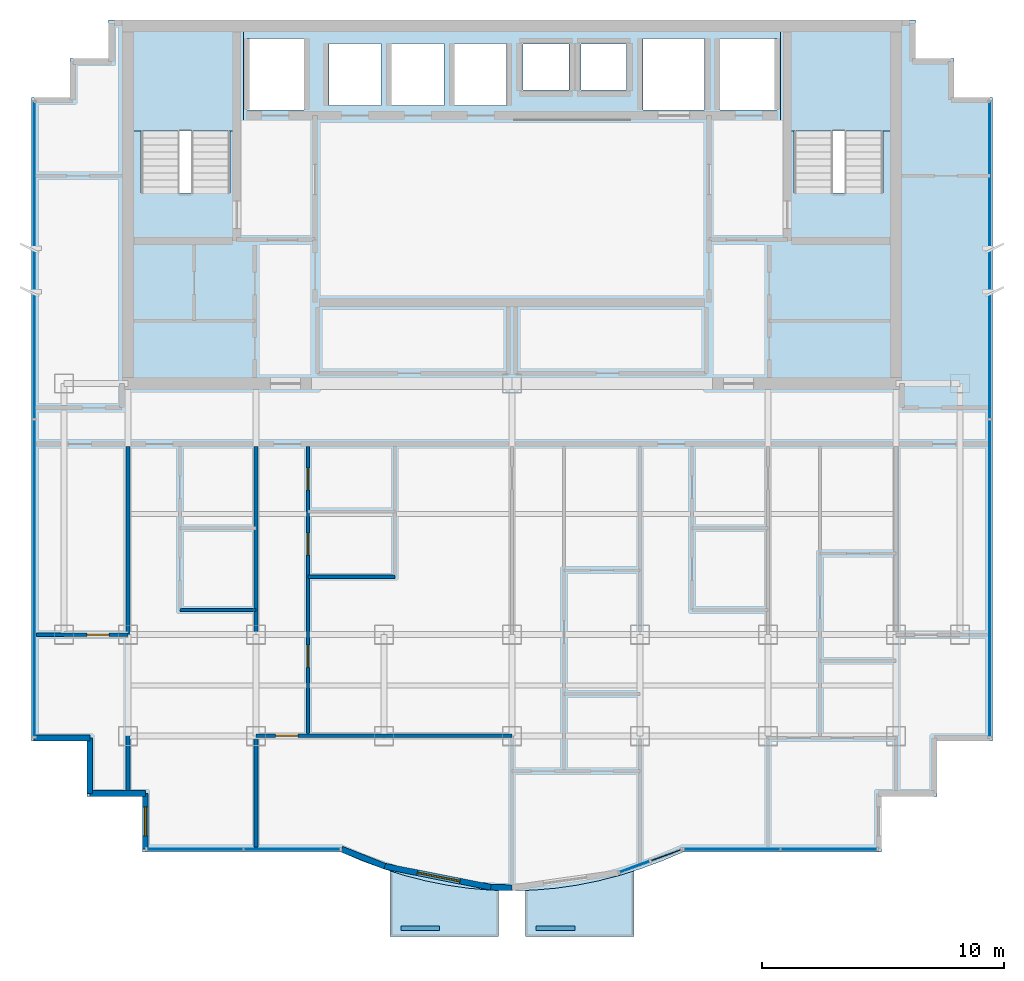
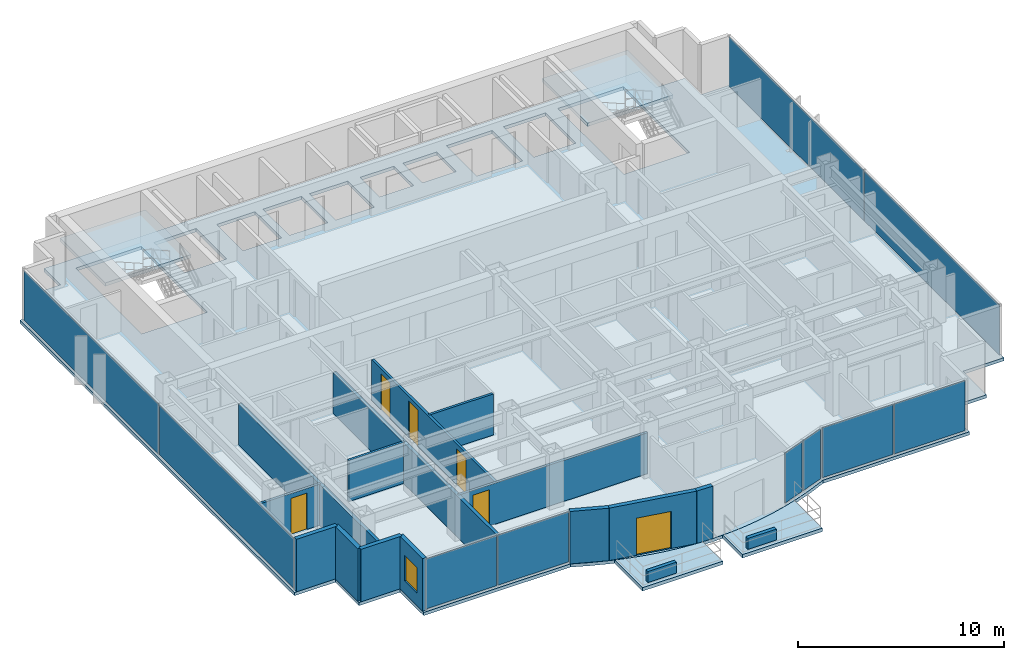
# One storey, part 6 of 12: 16 walls, 10 plates, 6 doors, 5 slabs, 1 window, 7 openings, 7 elements without a shape of their own.
"""IFC4 building model written with IfcOpenShell, lengths in metres."""

from ifc_helpers import new_model, si_unit, direction, frame, frame_2d, origin, origin_2d, place, context, subcontext, project, spatial, polyline, rectangle, outline, extrude, source, transform, mapped, material, layer, layer_set, type_object, element, fill, aggregate, save


model = new_model("IFC4")

# Units and contexts
model_context = context("Model", 3, precision=1e-05, world=origin(), true_north=direction((0.0, 1.0)))
body_context = subcontext(model_context, "Body", "Model", "MODEL_VIEW")
ifc_project = project(units=[si_unit("LENGTHUNIT", "METRE"), si_unit("AREAUNIT", "SQUARE_METRE"), si_unit("VOLUMEUNIT", "CUBIC_METRE"), si_unit("PLANEANGLEUNIT", "RADIAN"), si_unit("MASSUNIT", "GRAM", prefix="KILO")], contexts=[model_context])

# Site, building, storey
site_placement = place(None, origin())
site = spatial("IfcSite", under=ifc_project, at=site_placement, CompositionType="ELEMENT")
building_placement = place(site_placement, origin())
building = spatial("IfcBuilding", under=site, at=building_placement, Name="Qianlan Lanfeng Residences", CompositionType="ELEMENT")
storey_placement = place(building_placement, frame((0.0, 0.0, 200.0)))
storey = spatial("IfcBuildingStorey", under=building, at=storey_placement, Name="L54", CompositionType="ELEMENT", Elevation=200.0)

# Slabs
ifc_material_1 = material(Name="Concrete C42", Category="concrete")
ifc_layer_1 = layer(ifc_material_1, 0.199951171875)
ifc_layer_set_1 = layer_set([ifc_layer_1], Name="Concrete C42")
slab_type_1 = type_object("IfcSlabType", Name="S-BAL-200", PredefinedType="FLOOR", material=ifc_layer_set_1)
slab_1_placement = place(storey_placement, frame((0.0, 0.0, -0.199951171875)))
element("IfcSlab", 1, at=slab_1_placement, inside=storey, type_object=slab_type_1, Name="L54 Planted Tree Balcony Slab SB-W", PredefinedType="FLOOR", context=body_context, shape_type="SweptSolid", body=[
    extrude(outline(polyline([(25.949951171875, 4.216064453125), (25.614990234375, 4.22509765625), (24.72998046875, 4.300048828125), (23.844970703125, 4.425048828125), (22.9599609375, 4.60009765625), (22.074951171875, 4.824951171875), (21.449951171875, 5.01904296875), (21.449951171875, 2.300048828125), (25.949951171875, 2.300048828125), (25.949951171875, 4.216064453125)])), origin(), (0.0, 0.0, 1.0), 0.199951171875),
])
slab_2_placement = place(storey_placement, frame((0.0, 0.0, -0.199951171875)))
element("IfcSlab", 2, at=slab_2_placement, inside=storey, type_object=slab_type_1, Name="L54 Planted Tree Balcony Slab SB-E", PredefinedType="FLOOR", context=body_context, shape_type="SweptSolid", body=[
    extrude(outline(polyline([(31.550048828125, 5.01904296875), (30.925048828125, 4.824951171875), (30.0400390625, 4.60009765625), (29.155029296875, 4.425048828125), (28.27001953125, 4.300048828125), (27.385009765625, 4.22509765625), (27.050048828125, 4.216064453125), (27.050048828125, 2.300048828125), (31.550048828125, 2.300048828125), (31.550048828125, 5.01904296875)])), origin(), (0.0, 0.0, 1.0), 0.199951171875),
])
ifc_layer_2 = layer(ifc_material_1, 0.18994140625)
ifc_layer_set_2 = layer_set([ifc_layer_2], Name="Concrete C42")
slab_type_2 = type_object("IfcSlabType", Name="S-FL-190", PredefinedType="FLOOR", material=ifc_layer_set_2)
slab_3_placement = place(storey_placement, frame((0.0, 0.0, -0.18994140625)))
element("IfcSlab", 3, at=slab_3_placement, inside=storey, type_object=slab_type_2, Name="L54 Structural Floor Slab", PredefinedType="FLOOR", context=body_context, shape_type="SweptSolid", body=[
    extrude(outline(polyline([(6.60009765625, 10.39990234375), (8.89990234375, 10.39990234375), (8.89990234375, 8.10009765625), (11.199951171875, 8.10009765625), (11.199951171875, 5.800048828125), (19.419921875, 5.800048828125), (20.304931640625, 5.425048828125), (21.18994140625, 5.10009765625), (22.074951171875, 4.824951171875), (22.9599609375, 4.60009765625), (23.844970703125, 4.425048828125), (24.72998046875, 4.300048828125), (25.614990234375, 4.22509765625), (26.5, 4.199951171875), (27.385009765625, 4.22509765625), (28.27001953125, 4.300048828125), (29.155029296875, 4.425048828125), (30.0400390625, 4.60009765625), (30.925048828125, 4.824951171875), (31.81005859375, 5.10009765625), (32.695068359375, 5.425048828125), (33.580078125, 5.800048828125), (41.800048828125, 5.800048828125), (41.800048828125, 8.10009765625), (44.10009765625, 8.10009765625), (44.10009765625, 10.39990234375), (46.39990234375, 10.39990234375), (46.39990234375, 37.050048828125), (44.800048828125, 37.050048828125), (44.800048828125, 38.64990234375), (43.199951171875, 38.64990234375), (43.199951171875, 40.25), (9.800048828125, 40.25), (9.800048828125, 38.64990234375), (8.199951171875, 38.64990234375), (8.199951171875, 37.050048828125), (6.60009765625, 37.050048828125), (6.60009765625, 10.39990234375)]), holes=[polyline([(11.139892578125, 33.080078125), (11.139892578125, 39.5), (14.820068359375, 39.5), (14.820068359375, 33.080078125), (11.139892578125, 33.080078125)]), polyline([(38.179931640625, 33.080078125), (38.179931640625, 39.5), (41.860107421875, 39.5), (41.860107421875, 33.080078125), (38.179931640625, 33.080078125)]), polyline([(15.52001953125, 36.52001953125), (15.52001953125, 39.47998046875), (17.8798828125, 39.47998046875), (17.8798828125, 36.52001953125), (15.52001953125, 36.52001953125)]), polyline([(35.1201171875, 36.52001953125), (35.1201171875, 39.47998046875), (37.47998046875, 39.47998046875), (37.47998046875, 36.52001953125), (35.1201171875, 36.52001953125)]), polyline([(31.919921875, 36.52001953125), (31.919921875, 39.47998046875), (34.47998046875, 39.47998046875), (34.47998046875, 36.52001953125), (31.919921875, 36.52001953125)]), polyline([(18.919921875, 36.719970703125), (18.919921875, 39.280029296875), (21.080078125, 39.280029296875), (21.080078125, 36.719970703125), (18.919921875, 36.719970703125)]), polyline([(21.52001953125, 36.719970703125), (21.52001953125, 39.280029296875), (23.679931640625, 39.280029296875), (23.679931640625, 36.719970703125), (21.52001953125, 36.719970703125)]), polyline([(24.1201171875, 36.719970703125), (24.1201171875, 39.280029296875), (26.280029296875, 39.280029296875), (26.280029296875, 36.719970703125), (24.1201171875, 36.719970703125)]), polyline([(26.949951171875, 37.35009765625), (26.949951171875, 39.25), (28.85009765625, 39.25), (28.85009765625, 37.35009765625), (26.949951171875, 37.35009765625)]), polyline([(29.35009765625, 37.35009765625), (29.35009765625, 39.25), (31.25, 39.25), (31.25, 37.35009765625), (29.35009765625, 37.35009765625)])]), origin(), (0.0, 0.0, 1.0), 0.18994140625),
])

# Stair, slab
stair_type = type_object("IfcStairType", Name="STR-MAIN", PredefinedType="HALF_TURN_STAIR", material=ifc_material_1)
stair_1_placement = place(storey_placement, origin())
stair_1 = element("IfcStair", 4, at=stair_1_placement, inside=storey, type_object=stair_type, Name="L54 Exit Stair ST-1", PredefinedType="HALF_TURN_STAIR")
ifc_layer_3 = layer(ifc_material_1, 0.179931640625)
ifc_layer_set_3 = layer_set([ifc_layer_3], Name="Concrete C42")
slab_type_3 = type_object("IfcSlabType", Name="S-LND-180", PredefinedType="LANDING", material=ifc_layer_set_3)
slab_4_placement = place(storey_placement, frame((0.0, 0.0, 1.449951171875)))
slab_4 = element("IfcSlab", 5, at=slab_4_placement, type_object=slab_type_3, Name="ST-1 landing 1", PredefinedType="LANDING", context=body_context, shape_type="SweptSolid", body=[
    extrude(outline(polyline([(10.580078125, 35.659912109375), (15.3798828125, 35.659912109375), (15.3798828125, 40.050048828125), (10.580078125, 40.050048828125), (10.580078125, 35.659912109375)])), origin(), (0.0, 0.0, 1.0), 0.199951171875),
])
aggregate(stair_1, [slab_4])

stair_2_placement = place(storey_placement, origin())
stair_2 = element("IfcStair", 6, at=stair_2_placement, inside=storey, type_object=stair_type, Name="L54 Exit Stair ST-2", PredefinedType="HALF_TURN_STAIR")
slab_5_placement = place(storey_placement, frame((0.0, 0.0, 1.449951171875)))
slab_5 = element("IfcSlab", 7, at=slab_5_placement, type_object=slab_type_3, Name="ST-2 landing 1", PredefinedType="LANDING", context=body_context, shape_type="SweptSolid", body=[
    extrude(outline(polyline([(37.6201171875, 35.659912109375), (42.419921875, 35.659912109375), (42.419921875, 40.050048828125), (37.6201171875, 40.050048828125), (37.6201171875, 35.659912109375)])), origin(), (0.0, 0.0, 1.0), 0.199951171875),
])
aggregate(stair_2, [slab_5])

# Curtain wall, plates
ifc_material_2 = material(Name="Anodised Bronze Aluminium 6063-T6", Category="aluminium")
ifc_layer_4 = layer(ifc_material_2, 0.219970703125)
ifc_layer_set_4 = layer_set([ifc_layer_4], Name="Anodised Bronze Aluminium 6063-T6")
curtain_wall_type = type_object("IfcCurtainWallType", Name="CW-05", PredefinedType="NOTDEFINED", material=ifc_layer_set_4)
curtain_wall_1_placement = place(storey_placement, origin())
curtain_wall_1 = element("IfcCurtainWall", 8, at=curtain_wall_1_placement, inside=storey, type_object=curtain_wall_type, Name="L54 Unitised Curtain Wall CWR-L54-01 (CW-05)", PredefinedType="NOTDEFINED")
ifc_material_3 = material(Name="Clear Low-E Insulated Glass", Category="glass")
ifc_layer_5 = layer(ifc_material_3, 0.035888671875)
ifc_layer_set_5 = layer_set([ifc_layer_5], Name="Clear Low-E Insulated Glass")
plate_type_1 = type_object("IfcPlateType", Name="PNL-GLZ-CLR", PredefinedType="CURTAIN_PANEL", material=ifc_layer_set_5)
shared_shape_1 = source(origin(), body_context, "Body", "SweptSolid", [
    extrude(rectangle(XDim=3.951416015625, YDim=0.035888671875, at=origin_2d()), origin(), (0.0, 0.0, 1.0), 2.9619140625),
])
plate_1_placement = place(storey_placement, frame((13.36962890625, 5.919921875, 0.073974609375), z_axis=(0.0, 0.0, 1.0), x_axis=(1.0, 0.0, 0.0)))
plate_1 = element("IfcPlate", 9, at=plate_1_placement, type_object=plate_type_1, Name="CWR-L54-01 Curtain Panel 1", PredefinedType="CURTAIN_PANEL", context=body_context, shape_type="MappedRepresentation", body=[
    mapped(shared_shape_1, transform((0.0, 0.0, 0.0), scale=1.0)),
])
plate_2_placement = place(storey_placement, frame((17.394287109375, 5.919921875, 0.073974609375), z_axis=(0.0, 0.0, 1.0), x_axis=(1.0, 0.0, 0.0)))
plate_2 = element("IfcPlate", 10, at=plate_2_placement, type_object=plate_type_1, Name="CWR-L54-01 Curtain Panel 2", PredefinedType="CURTAIN_PANEL", context=body_context, shape_type="MappedRepresentation", body=[
    mapped(shared_shape_1, transform((0.0, 0.0, 0.0), scale=1.0)),
])
aggregate(curtain_wall_1, [plate_1, plate_2])

curtain_wall_2_placement = place(storey_placement, origin())
curtain_wall_2 = element("IfcCurtainWall", 11, at=curtain_wall_2_placement, inside=storey, type_object=curtain_wall_type, Name="L54 Unitised Curtain Wall CWR-L54-03 (CW-05)", PredefinedType="NOTDEFINED")
plate_3_placement = place(storey_placement, frame((35.605712890625, 5.919921875, 0.073974609375), z_axis=(0.0, 0.0, 1.0), x_axis=(1.0, 0.0, 0.0)))
plate_3 = element("IfcPlate", 12, at=plate_3_placement, type_object=plate_type_1, Name="CWR-L54-03 Curtain Panel 1", PredefinedType="CURTAIN_PANEL", context=body_context, shape_type="MappedRepresentation", body=[
    mapped(shared_shape_1, transform((0.0, 0.0, 0.0), scale=1.0)),
])
plate_4_placement = place(storey_placement, frame((39.630126953125, 5.919921875, 0.073974609375), z_axis=(0.0, 0.0, 1.0), x_axis=(1.0, 0.0, 0.0)))
plate_4 = element("IfcPlate", 13, at=plate_4_placement, type_object=plate_type_1, Name="CWR-L54-03 Curtain Panel 2", PredefinedType="CURTAIN_PANEL", context=body_context, shape_type="MappedRepresentation", body=[
    mapped(shared_shape_1, transform((0.0, 0.0, 0.0), scale=1.0)),
])
aggregate(curtain_wall_2, [plate_3, plate_4])

curtain_wall_3_placement = place(storey_placement, origin())
curtain_wall_3 = element("IfcCurtainWall", 14, at=curtain_wall_3_placement, inside=storey, type_object=curtain_wall_type, Name="L54 Unitised Curtain Wall CWR-L54-02 (CW-05)", PredefinedType="NOTDEFINED")
shared_shape_2 = source(origin(), body_context, "Body", "SweptSolid", [
    extrude(rectangle(XDim=1.30859375, YDim=0.035888671875, at=origin_2d()), origin(), (0.0, 0.0, 1.0), 2.9619140625),
])
plate_5_placement = place(storey_placement, frame((31.57568359375, 5.192138671875, 0.073974609375), z_axis=(0.0, 0.0, 1.0), x_axis=(0.938625538563, 0.344937818101, 0.0)))
plate_5 = element("IfcPlate", 15, at=plate_5_placement, type_object=plate_type_1, Name="CWR-L54-02 Curtain Panel 1", PredefinedType="CURTAIN_PANEL", context=body_context, shape_type="MappedRepresentation", body=[
    mapped(shared_shape_2, transform((0.0, 0.0, 0.0), scale=1.0)),
])
ifc_material_4 = material(Name="Perforated Champagne Gold Aluminium Panel", Category="aluminium")
ifc_layer_6 = layer(ifc_material_4, 0.0400390625)
ifc_layer_set_6 = layer_set([ifc_layer_6], Name="Perforated Champagne Gold Aluminium Panel")
plate_type_2 = type_object("IfcPlateType", Name="PNL-PRF-GLD", PredefinedType="CURTAIN_PANEL", material=ifc_layer_set_6)
shared_shape_3 = source(origin(), body_context, "Body", "SweptSolid", [
    extrude(rectangle(XDim=1.30859375, YDim=0.0400390625, at=origin_2d()), origin(), (0.0, 0.0, 1.0), 2.9619140625),
])
plate_6_placement = place(storey_placement, frame((32.872314453125, 5.668701171875, 0.073974609375), z_axis=(0.0, 0.0, 1.0), x_axis=(0.938625538563, 0.344937818101, 0.0)))
plate_6 = element("IfcPlate", 16, at=plate_6_placement, type_object=plate_type_2, Name="CWR-L54-02 Curtain Panel 2", PredefinedType="CURTAIN_PANEL", context=body_context, shape_type="MappedRepresentation", body=[
    mapped(shared_shape_3, transform((0.0, 0.0, 0.0), scale=1.0)),
])
aggregate(curtain_wall_3, [plate_5, plate_6])

# Curtain wall, plate
curtain_wall_4_placement = place(storey_placement, origin())
curtain_wall_4 = element("IfcCurtainWall", 17, at=curtain_wall_4_placement, inside=storey, type_object=curtain_wall_type, Name="L54 Unitised Curtain Wall CWR-L54-04 (CW-05)", PredefinedType="NOTDEFINED")
shared_shape_4 = source(origin(), body_context, "Body", "SweptSolid", [
    extrude(rectangle(XDim=13.094482421875, YDim=0.035888671875, at=origin_2d()), origin(), (0.0, 0.0, 1.0), 2.9619140625),
])
plate_7_placement = place(storey_placement, frame((46.280029296875, 17.14111328125, 0.073974609375), z_axis=(0.0, 0.0, 1.0), x_axis=(0.0, 1.0, 0.0)))
plate_7 = element("IfcPlate", 18, at=plate_7_placement, type_object=plate_type_1, Name="CWR-L54-04 Curtain Panel 1", PredefinedType="CURTAIN_PANEL", context=body_context, shape_type="MappedRepresentation", body=[
    mapped(shared_shape_4, transform((0.0, 0.0, 0.0), scale=1.0)),
])

# Curtain wall, plates
curtain_wall_5_placement = place(storey_placement, origin())
curtain_wall_5 = element("IfcCurtainWall", 19, at=curtain_wall_5_placement, inside=storey, type_object=curtain_wall_type, Name="L54 Unitised Curtain Wall CWR-L54-05 (CW-05)", PredefinedType="NOTDEFINED")
plate_8_placement = place(storey_placement, frame((6.719970703125, 30.30859375, 0.073974609375), z_axis=(0.0, 0.0, 1.0), x_axis=(0.0, -1.0, 0.0)))
plate_8 = element("IfcPlate", 20, at=plate_8_placement, type_object=plate_type_1, Name="CWR-L54-05 Curtain Panel 1", PredefinedType="CURTAIN_PANEL", context=body_context, shape_type="MappedRepresentation", body=[
    mapped(shared_shape_4, transform((0.0, 0.0, 0.0), scale=1.0)),
])
plate_9_placement = place(storey_placement, frame((6.719970703125, 17.14111328125, 0.073974609375), z_axis=(0.0, 0.0, 1.0), x_axis=(0.0, -1.0, 0.0)))
plate_9 = element("IfcPlate", 21, at=plate_9_placement, type_object=plate_type_1, Name="CWR-L54-05 Curtain Panel 2", PredefinedType="CURTAIN_PANEL", context=body_context, shape_type="MappedRepresentation", body=[
    mapped(shared_shape_4, transform((0.0, 0.0, 0.0), scale=1.0)),
])
aggregate(curtain_wall_5, [plate_8, plate_9])

# Plate
shared_shape_5 = source(origin(), body_context, "Body", "SweptSolid", [
    extrude(rectangle(XDim=13.094482421875, YDim=0.0400390625, at=origin_2d()), origin(), (0.0, 0.0, 1.0), 2.9619140625),
])
plate_10_placement = place(storey_placement, frame((46.280029296875, 30.30859375, 0.073974609375), z_axis=(0.0, 0.0, 1.0), x_axis=(0.0, 1.0, 0.0)))
plate_10 = element("IfcPlate", 22, at=plate_10_placement, type_object=plate_type_2, Name="CWR-L54-04 Curtain Panel 2", PredefinedType="CURTAIN_PANEL", context=body_context, shape_type="MappedRepresentation", body=[
    mapped(shared_shape_5, transform((0.0, 0.0, 0.0), scale=1.0)),
])

aggregate(curtain_wall_4, [plate_7, plate_10])

# Walls
ifc_layer_7 = layer(ifc_material_1, 0.239990234375)
ifc_layer_set_7 = layer_set([ifc_layer_7], Name="Concrete C42")
wall_type_1 = type_object("IfcWallType", Name="EW-240", PredefinedType="SOLIDWALL", material=ifc_layer_set_7)
for number, where, z_axis, x_axis, name in (
    (23, (6.719970703125, 10.52001953125, 0.0), (0.0, 0.0, 1.0), (1.0, 0.0, 0.0), "L54 Exterior Facade Spandrel Wall 1"),
    (24, (9.02001953125, 10.52001953125, 0.0), (0.0, 0.0, 1.0), (0.0, -1.0, 0.0), "L54 Exterior Facade Spandrel Wall 2"),
    (25, (9.02001953125, 8.219970703125, 0.0), (0.0, 0.0, 1.0), (1.0, 0.0, 0.0), "L54 Exterior Facade Spandrel Wall 3"),
):
    element("IfcWall", number, at=place(storey_placement, frame(where, z_axis=z_axis, x_axis=x_axis)), inside=storey, type_object=wall_type_1, Name=name, PredefinedType="SOLIDWALL", context=body_context, shape_type="SweptSolid", body=[
        extrude(rectangle(XDim=2.300048828125, YDim=0.239990234375, at=frame_2d((1.14990234375, 0.0))), origin(), (0.0, 0.0, 1.0), 3.110107421875),
    ])

# Wall, opening, window
wall_1_placement = place(storey_placement, frame((11.320068359375, 8.219970703125, 0.0), z_axis=(0.0, 0.0, 1.0), x_axis=(0.0, -1.0, 0.0)))
wall_1 = element("IfcWall", 26, at=wall_1_placement, inside=storey, type_object=wall_type_1, Name="L54 Exterior Facade Spandrel Wall 4", PredefinedType="SOLIDWALL", context=body_context, shape_type="SweptSolid", body=[
    extrude(rectangle(XDim=2.300048828125, YDim=0.239990234375, at=frame_2d((1.14990234375, 0.0))), origin(), (0.0, 0.0, 1.0), 3.110107421875),
])
opening_1_placement = place(wall_1_placement, frame((0.550048828125, 0.0, 0.75)))
opening_1 = element("IfcOpeningElement", 27, at=opening_1_placement, cuts=wall_1, Name="Opening W-03", PredefinedType="OPENING", context=body_context, shape_type="SweptSolid", body=[
    extrude(rectangle(XDim=1.199951171875, YDim=1.5, at=frame_2d((0.60009765625, 0.75))), frame((0.0, 0.1298828125, 0.0), z_axis=(0.0, -1.0, 0.0), x_axis=(1.0, 0.0, 0.0)), (0.0, 0.0, 1.0), 0.260009765625),
])
ifc_material_5 = material(Name="Anodised Bronze Aluminium Framed Double Glazing", Category="aluminium")
window_type = type_object("IfcWindowType", Name="W-03", PartitioningType="SINGLE_PANEL", PredefinedType="WINDOW", material=ifc_material_5)
window_placement = place(opening_1_placement, origin())
window = element("IfcWindow", 28, at=window_placement, inside=storey, type_object=window_type, Name="L54 Facade Punched Window W-03", OverallHeight=1.5, OverallWidth=1.199951171875, PartitioningType="SINGLE_PANEL", PredefinedType="WINDOW", context=body_context, shape_type="SweptSolid", body=[
    extrude(rectangle(XDim=1.199951171875, YDim=1.5, at=frame_2d((0.60009765625, 0.75))), frame((0.0, 0.030029296875, 0.0), z_axis=(0.0, -1.0, 0.0), x_axis=(1.0, 0.0, 0.0)), (0.0, 0.0, 1.0), 0.06005859375),
])
fill(opening_1, window)

# Wall
wall_2_placement = place(storey_placement, frame((19.444091796875, 5.919921875, 0.0), z_axis=(0.0, 0.0, 1.0), x_axis=(0.92993442177, -0.367725401906, 0.0)))
element("IfcWall", 29, at=wall_2_placement, inside=storey, type_object=wall_type_1, Name="L54 Exterior Facade Spandrel Wall 5", PredefinedType="SOLIDWALL", context=body_context, shape_type="SweptSolid", body=[
    extrude(rectangle(XDim=1.91943359375, YDim=0.239990234375, at=frame_2d((0.959716796875, 0.0))), origin(), (0.0, 0.0, 1.0), 3.110107421875),
])

# Wall, opening, door
wall_3_placement = place(storey_placement, frame((21.22900390625, 5.214111328125, 0.0), z_axis=(0.0, 0.0, 1.0), x_axis=(0.980985349685, -0.194081796425, 0.0)))
wall_3 = element("IfcWall", 30, at=wall_3_placement, inside=storey, type_object=wall_type_1, Name="L54 Terrace/Balcony Access Exterior Wall 6", PredefinedType="SOLIDWALL", context=body_context, shape_type="SweptSolid", body=[
    extrude(rectangle(XDim=4.478271484375, YDim=0.239990234375, at=frame_2d((2.2392578125, 0.0))), origin(), (0.0, 0.0, 1.0), 3.110107421875),
])
opening_2_placement = place(wall_3_placement, frame((1.381103515625, 0.0, 0.0)))
opening_2 = element("IfcOpeningElement", 31, at=opening_2_placement, cuts=wall_3, Name="Opening L54-D-SB-W", PredefinedType="OPENING", context=body_context, shape_type="SweptSolid", body=[
    extrude(rectangle(XDim=1.800048828125, YDim=2.199951171875, at=frame_2d((0.89990234375, 1.10009765625))), frame((0.0, 0.1298828125, 0.0), z_axis=(0.0, -1.0, 0.0), x_axis=(1.0, 0.0, 0.0)), (0.0, 0.0, 1.0), 0.260009765625),
])
ifc_material_6 = material(Name="Anodised Bronze Aluminium Framed Glass", Category="aluminium")
door_type_1 = type_object("IfcDoorType", Name="DT-BAL1", OperationType="NOTDEFINED", PredefinedType="DOOR", material=ifc_material_6)
door_1_placement = place(opening_2_placement, frame((1.800048828125, 0.0, 0.0), z_axis=(0.0, 0.0, 1.0), x_axis=(-1.0, 0.0, 0.0)))
door_1 = element("IfcDoor", 32, at=door_1_placement, inside=storey, type_object=door_type_1, Name="L54 Exterior Access Door SB-W", OperationType="DOUBLE_DOOR_SLIDING", OverallHeight=2.199951171875, OverallWidth=1.800048828125, PredefinedType="DOOR", context=body_context, shape_type="SweptSolid", body=[
    extrude(rectangle(XDim=1.800048828125, YDim=2.199951171875, at=frame_2d((0.89990234375, 1.10009765625))), frame((0.0, 0.02490234375, 0.0), z_axis=(0.0, -1.0, 0.0), x_axis=(1.0, 0.0, 0.0)), (0.0, 0.0, 1.0), 0.050048828125),
])
fill(opening_2, door_1)

# Walls
wall_4_placement = place(storey_placement, frame((25.6220703125, 4.344970703125, 0.0), z_axis=(0.0, 0.0, 1.0), x_axis=(0.999597960231, -0.028353446035, 0.0)))
element("IfcWall", 33, at=wall_4_placement, inside=storey, type_object=wall_type_1, Name="L54 Exterior Facade Spandrel Wall 7", PredefinedType="SOLIDWALL", context=body_context, shape_type="SweptSolid", body=[
    extrude(rectangle(XDim=0.878173828125, YDim=0.239990234375, at=frame_2d((0.43896484375, 0.0))), origin(), (0.0, 0.0, 1.0), 3.110107421875),
])
ifc_layer_8 = layer(ifc_material_1, 0.199951171875)
ifc_layer_set_8 = layer_set([ifc_layer_8], Name="Concrete C42")
wall_type_2 = type_object("IfcWallType", Name="PL-TREE-200", PredefinedType="PARAPET", material=ifc_layer_set_8)
for number, where, z_axis, x_axis, name in (
    (34, (21.89990234375, 2.64990234375, 0.0), (0.0, 0.0, 1.0), (1.0, 0.0, 0.0), "L54 Balcony Tree Planter Curb SB-W"),
    (35, (27.5, 2.64990234375, 0.0), (0.0, 0.0, 1.0), (1.0, 0.0, 0.0), "L54 Balcony Tree Planter Curb SB-E"),
):
    element("IfcWall", number, at=place(storey_placement, frame(where, z_axis=z_axis, x_axis=x_axis)), inside=storey, type_object=wall_type_2, Name=name, PredefinedType="PARAPET", context=body_context, shape_type="SweptSolid", body=[
        extrude(rectangle(XDim=1.60009765625, YDim=0.199951171875, at=frame_2d((0.800048828125, 0.0))), origin(), (0.0, 0.0, 1.0), 0.64990234375),
    ])
ifc_material_7 = material(Name="Moisture-Resistant Gypsum Partition 135 mm")
ifc_layer_9 = layer(ifc_material_7, 0.135009765625)
ifc_layer_set_9 = layer_set([ifc_layer_9], Name="Moisture-Resistant Gypsum Partition 135 mm")
wall_type_3 = type_object("IfcWallType", Name="PW-135", PredefinedType="PARTITIONING", material=ifc_layer_set_9)
wall_5_placement = place(storey_placement, frame((12.75, 15.820068359375, 0.0), z_axis=(0.0, 0.0, 1.0), x_axis=(1.0, 0.0, 0.0)))
element("IfcWall", 36, at=wall_5_placement, inside=storey, type_object=wall_type_3, Name="L54 U01 Kitchen South Wall", PredefinedType="PARTITIONING", context=body_context, shape_type="SweptSolid", body=[
    extrude(rectangle(XDim=3.14990234375, YDim=0.135009765625, at=frame_2d((1.574951171875, 0.0))), origin(), (0.0, 0.0, 1.0), 2.429931640625),
])

# Wall, opening, door
wall_6_placement = place(storey_placement, frame((15.89990234375, 10.614013671875, 0.0), z_axis=(0.0, 0.0, 1.0), x_axis=(1.0, 0.0, 0.0)))
wall_6 = element("IfcWall", 37, at=wall_6_placement, inside=storey, type_object=wall_type_3, Name="L54 U02 Living Divider", PredefinedType="PARTITIONING", context=body_context, shape_type="SweptSolid", body=[
    extrude(rectangle(XDim=10.60009765625, YDim=0.135009765625, at=frame_2d((5.300048828125, 0.0))), origin(), (0.0, 0.0, 1.0), 2.429931640625),
])
opening_3_placement = place(wall_6_placement, frame((0.81494140625, 0.0, 0.0)))
opening_3 = element("IfcOpeningElement", 38, at=opening_3_placement, cuts=wall_6, Name="Opening L54-D23", PredefinedType="OPENING", context=body_context, shape_type="SweptSolid", body=[
    extrude(rectangle(XDim=0.919921875, YDim=2.14990234375, at=frame_2d((0.4599609375, 1.074951171875))), frame((0.0, 0.07763671875, 0.0), z_axis=(0.0, -1.0, 0.0), x_axis=(1.0, 0.0, 0.0)), (0.0, 0.0, 1.0), 0.155029296875),
])
ifc_material_8 = material(Name="Glazed Timber Kitchen/Study Door", Category="wood")
door_type_2 = type_object("IfcDoorType", Name="DT-INT", OperationType="NOTDEFINED", PredefinedType="DOOR", material=ifc_material_8)
door_2_placement = place(opening_3_placement, origin())
door_2 = element("IfcDoor", 39, at=door_2_placement, inside=storey, type_object=door_type_2, Name="L54 U02 Living Passage Door L54-D23 (DT-INT)", OperationType="SINGLE_SWING_RIGHT", OverallHeight=2.14990234375, OverallWidth=0.919921875, PredefinedType="DOOR", context=body_context, shape_type="SweptSolid", body=[
    extrude(rectangle(XDim=0.919921875, YDim=2.14990234375, at=frame_2d((0.4599609375, 1.074951171875))), frame((0.0, 0.02490234375, 0.0), z_axis=(0.0, -1.0, 0.0), x_axis=(1.0, 0.0, 0.0)), (0.0, 0.0, 1.0), 0.050048828125),
])
fill(opening_3, door_2)

# Wall, openings, doors
wall_7_placement = place(storey_placement, frame((18.050048828125, 10.614013671875, 0.0), z_axis=(0.0, 0.0, 1.0), x_axis=(0.0, 1.0, 0.0)))
wall_7 = element("IfcWall", 40, at=wall_7_placement, inside=storey, type_object=wall_type_3, Name="L54 U02 Entry Hall Spine", PredefinedType="PARTITIONING", context=body_context, shape_type="SweptSolid", body=[
    extrude(rectangle(XDim=11.986083984375, YDim=0.135009765625, at=frame_2d((5.9931640625, 0.0))), origin(), (0.0, 0.0, 1.0), 2.429931640625),
])
opening_4_placement = place(wall_7_placement, frame((2.8330078125, 0.0, 0.0)))
opening_4 = element("IfcOpeningElement", 41, at=opening_4_placement, cuts=wall_7, Name="Opening L54-D24", PredefinedType="OPENING", context=body_context, shape_type="SweptSolid", body=[
    extrude(rectangle(XDim=0.919921875, YDim=2.14990234375, at=frame_2d((0.4599609375, 1.074951171875))), frame((0.0, 0.07763671875, 0.0), z_axis=(0.0, -1.0, 0.0), x_axis=(1.0, 0.0, 0.0)), (0.0, 0.0, 1.0), 0.155029296875),
])
opening_5_placement = place(wall_7_placement, frame((7.47607421875, 0.0, 0.0)))
opening_5 = element("IfcOpeningElement", 42, at=opening_5_placement, cuts=wall_7, Name="Opening L54-D25", PredefinedType="OPENING", context=body_context, shape_type="SweptSolid", body=[
    extrude(rectangle(XDim=0.919921875, YDim=2.14990234375, at=frame_2d((0.4599609375, 1.074951171875))), frame((0.0, 0.07763671875, 0.0), z_axis=(0.0, -1.0, 0.0), x_axis=(1.0, 0.0, 0.0)), (0.0, 0.0, 1.0), 0.155029296875),
])
opening_6_placement = place(wall_7_placement, frame((10.18603515625, 0.0, 0.0)))
opening_6 = element("IfcOpeningElement", 43, at=opening_6_placement, cuts=wall_7, Name="Opening L54-D26", PredefinedType="OPENING", context=body_context, shape_type="SweptSolid", body=[
    extrude(rectangle(XDim=0.89990234375, YDim=2.14990234375, at=frame_2d((0.449951171875, 1.074951171875))), frame((0.0, 0.07763671875, 0.0), z_axis=(0.0, -1.0, 0.0), x_axis=(1.0, 0.0, 0.0)), (0.0, 0.0, 1.0), 0.155029296875),
])
door_3_placement = place(opening_4_placement, origin())
door_3 = element("IfcDoor", 44, at=door_3_placement, inside=storey, type_object=door_type_2, Name="L54 U02 Study Door L54-D24 (DT-INT)", OperationType="SINGLE_SWING_RIGHT", OverallHeight=2.14990234375, OverallWidth=0.919921875, PredefinedType="DOOR", context=body_context, shape_type="SweptSolid", body=[
    extrude(rectangle(XDim=0.919921875, YDim=2.14990234375, at=frame_2d((0.4599609375, 1.074951171875))), frame((0.0, 0.02490234375, 0.0), z_axis=(0.0, -1.0, 0.0), x_axis=(1.0, 0.0, 0.0)), (0.0, 0.0, 1.0), 0.050048828125),
])
fill(opening_4, door_3)
door_4_placement = place(opening_5_placement, origin())
door_4 = element("IfcDoor", 45, at=door_4_placement, inside=storey, type_object=door_type_2, Name="L54 U02 Kitchen Door L54-D25 (DT-INT)", OperationType="SINGLE_SWING_LEFT", OverallHeight=2.14990234375, OverallWidth=0.919921875, PredefinedType="DOOR", context=body_context, shape_type="SweptSolid", body=[
    extrude(rectangle(XDim=0.919921875, YDim=2.14990234375, at=frame_2d((0.4599609375, 1.074951171875))), frame((0.0, 0.02490234375, 0.0), z_axis=(0.0, -1.0, 0.0), x_axis=(1.0, 0.0, 0.0)), (0.0, 0.0, 1.0), 0.050048828125),
])
fill(opening_5, door_4)
ifc_material_9 = material(Name="Moisture-Resistant Timber Leaf", Category="wood")
door_type_3 = type_object("IfcDoorType", Name="DT-WC", OperationType="NOTDEFINED", PredefinedType="DOOR", material=ifc_material_9)
door_5_placement = place(opening_6_placement, origin())
door_5 = element("IfcDoor", 46, at=door_5_placement, inside=storey, type_object=door_type_3, Name="L54 U02 Bathroom Door L54-D26 (DT-WC)", OperationType="SINGLE_SWING_RIGHT", OverallHeight=2.14990234375, OverallWidth=0.89990234375, PredefinedType="DOOR", context=body_context, shape_type="SweptSolid", body=[
    extrude(rectangle(XDim=0.89990234375, YDim=2.14990234375, at=frame_2d((0.449951171875, 1.074951171875))), frame((0.0, 0.02490234375, 0.0), z_axis=(0.0, -1.0, 0.0), x_axis=(1.0, 0.0, 0.0)), (0.0, 0.0, 1.0), 0.050048828125),
])
fill(opening_6, door_5)

# Wall
wall_8_placement = place(storey_placement, frame((18.050048828125, 17.199951171875, 0.0), z_axis=(0.0, 0.0, 1.0), x_axis=(1.0, 0.0, 0.0)))
element("IfcWall", 47, at=wall_8_placement, inside=storey, type_object=wall_type_3, Name="L54 U02 Kitchen South Wall", PredefinedType="PARTITIONING", context=body_context, shape_type="SweptSolid", body=[
    extrude(rectangle(XDim=3.599853515625, YDim=0.135009765625, at=frame_2d((1.7998046875, 0.0))), origin(), (0.0, 0.0, 1.0), 2.429931640625),
])

# Wall, opening, door
wall_9_placement = place(storey_placement, frame((6.820068359375, 14.800048828125, 0.0), z_axis=(0.0, 0.0, 1.0), x_axis=(1.0, 0.0, 0.0)))
wall_9 = element("IfcWall", 48, at=wall_9_placement, inside=storey, type_object=wall_type_3, Name="L54 SWP Mid Partition", PredefinedType="PARTITIONING", context=body_context, shape_type="SweptSolid", body=[
    extrude(rectangle(XDim=3.780029296875, YDim=0.135009765625, at=frame_2d((1.89013671875, 0.0))), origin(), (0.0, 0.0, 1.0), 2.429931640625),
])
opening_7_placement = place(wall_9_placement, frame((2.080078125, 0.0, 0.0)))
opening_7 = element("IfcOpeningElement", 49, at=opening_7_placement, cuts=wall_9, Name="Opening L54-D39", PredefinedType="OPENING", context=body_context, shape_type="SweptSolid", body=[
    extrude(rectangle(XDim=0.919921875, YDim=2.14990234375, at=frame_2d((0.4599609375, 1.074951171875))), frame((0.0, 0.07763671875, 0.0), z_axis=(0.0, -1.0, 0.0), x_axis=(1.0, 0.0, 0.0)), (0.0, 0.0, 1.0), 0.155029296875),
])
door_6_placement = place(opening_7_placement, origin())
door_6 = element("IfcDoor", 50, at=door_6_placement, inside=storey, type_object=door_type_2, Name="L54 SWP Inner Door L54-D39 (DT-INT)", OperationType="SINGLE_SWING_LEFT", OverallHeight=2.14990234375, OverallWidth=0.919921875, PredefinedType="DOOR", context=body_context, shape_type="SweptSolid", body=[
    extrude(rectangle(XDim=0.919921875, YDim=2.14990234375, at=frame_2d((0.4599609375, 1.074951171875))), frame((0.0, 0.02490234375, 0.0), z_axis=(0.0, -1.0, 0.0), x_axis=(1.0, 0.0, 0.0)), (0.0, 0.0, 1.0), 0.050048828125),
])
fill(opening_7, door_6)

# Walls
ifc_material_10 = material(Name="Double-Layer Acoustic Gypsum Stud Wall 180 mm")
ifc_layer_10 = layer(ifc_material_10, 0.179931640625)
ifc_layer_set_10 = layer_set([ifc_layer_10], Name="Double-Layer Acoustic Gypsum Stud Wall 180 mm")
wall_type_4 = type_object("IfcWallType", Name="PW-180", PredefinedType="PARTITIONING", material=ifc_layer_set_10)
wall_10_placement = place(storey_placement, frame((10.60009765625, 8.320068359375, 0.0), z_axis=(0.0, 0.0, 1.0), x_axis=(0.0, 1.0, 0.0)))
element("IfcWall", 51, at=wall_10_placement, inside=storey, type_object=wall_type_4, Name="L54 Wing Boundary Party Wall W0", PredefinedType="PARTITIONING", context=body_context, shape_type="SweptSolid", body=[
    extrude(rectangle(XDim=14.280029296875, YDim=0.179931640625, at=frame_2d((7.14013671875, 0.0))), origin(), (0.0, 0.0, 1.0), 2.429931640625),
])
wall_11_placement = place(storey_placement, frame((15.89990234375, 6.02001953125, 0.0), z_axis=(0.0, 0.0, 1.0), x_axis=(0.0, 1.0, 0.0)))
element("IfcWall", 52, at=wall_11_placement, inside=storey, type_object=wall_type_4, Name="L54 Inter-Tenancy Party Wall 2", PredefinedType="PARTITIONING", context=body_context, shape_type="SweptSolid", body=[
    extrude(rectangle(XDim=16.580078125, YDim=0.179931640625, at=frame_2d((8.2900390625, 0.0))), origin(), (0.0, 0.0, 1.0), 2.429931640625),
])

save(model, "model.ifc")
